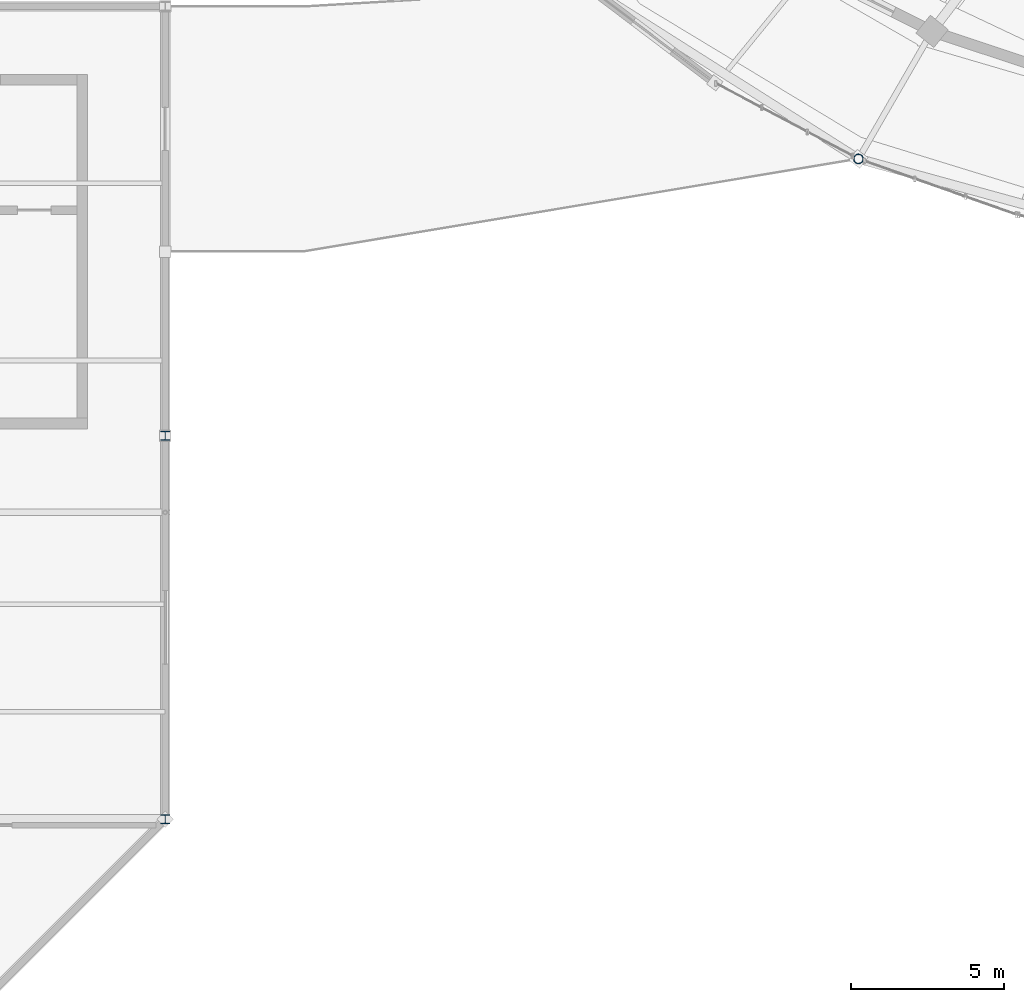
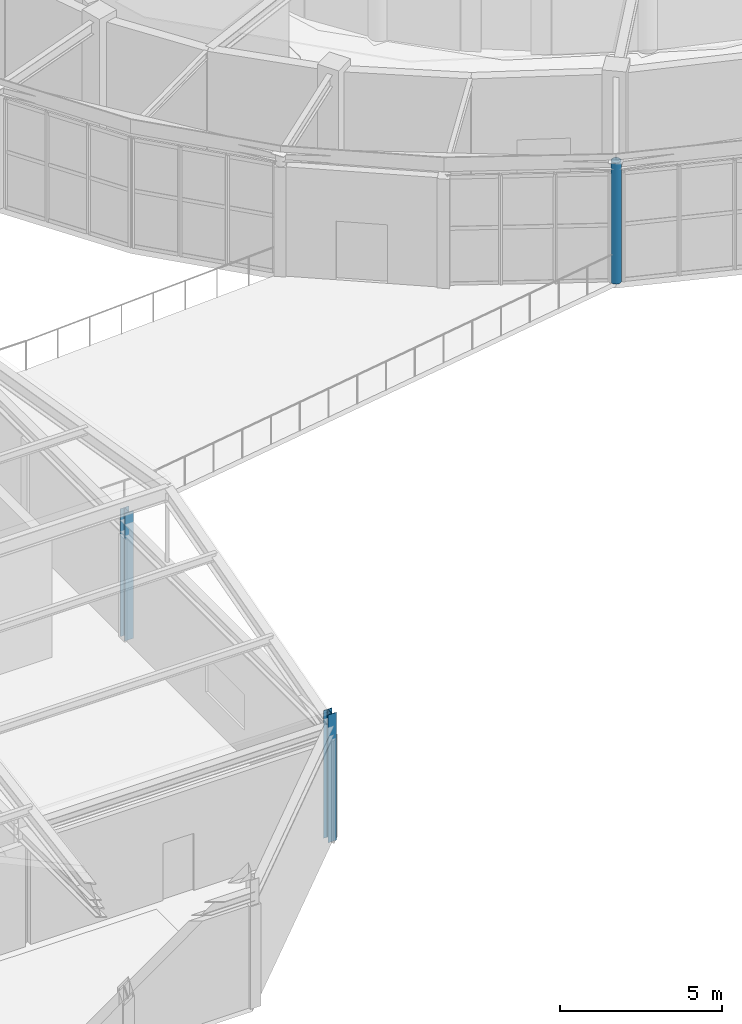
# One storey, part 2 of 108: 3 columns.
"""IFC4 building model written with IfcOpenShell, lengths in metres."""

from ifc_helpers import new_model, si_unit, direction, frame, origin, origin_2d, place, context, subcontext, project, spatial, hollow_circle, i_section, extrude, material, material_profile, profile_set, type_object, element, save


model = new_model("IFC4")

# Units and contexts
model_context = context("Model", 3, precision=1e-05, world=origin(), true_north=direction((0.0, 1.0)))
body_context = subcontext(model_context, "Body", "Model", "MODEL_VIEW")
ifc_project = project(units=[si_unit("LENGTHUNIT", "METRE"), si_unit("AREAUNIT", "SQUARE_METRE"), si_unit("VOLUMEUNIT", "CUBIC_METRE"), si_unit("PLANEANGLEUNIT", "RADIAN"), si_unit("MASSUNIT", "GRAM", prefix="KILO")], contexts=[model_context])

# Site, building, storey
site_placement = place(None, origin())
site = spatial("IfcSite", under=ifc_project, at=site_placement, CompositionType="ELEMENT")
building_placement = place(site_placement, origin())
building = spatial("IfcBuilding", under=site, at=building_placement, Name="Tarnveldt Headland Concert Hall", CompositionType="ELEMENT")
storey_placement = place(building_placement, frame((0.0, 0.0, 9.60009765625)))
storey = spatial("IfcBuildingStorey", under=building, at=storey_placement, Name="L02", CompositionType="ELEMENT", Elevation=9.60009765625)

# Columns
ifc_material = material(Name="Steel S355", Category="steel")
ifc_material_profile_1 = material_profile(ifc_material, hollow_circle(Radius=0.161865234375, WallThickness=0.02001953125, at=origin_2d()), Name="CHS 323.9x20", Category="steel")
ifc_profile_set_1 = profile_set([ifc_material_profile_1], Name="Steel S355")
column_type_1 = type_object("IfcColumnType", Name="SC-CHS323", PredefinedType="COLUMN", material=ifc_profile_set_1)
column_placement = place(storey_placement, frame((67.10009765625, 33.022705078125, 0.0), z_axis=(0.0, 0.0, 1.0), x_axis=(-0.606959801962, -0.79473253287, 0.0)))
element("IfcColumn", 1, at=column_placement, inside=storey, type_object=column_type_1, Name="Column V1C13 L02", PredefinedType="COLUMN", context=body_context, shape_type="SweptSolid", body=[
    extrude(hollow_circle(Radius=0.161865234375, WallThickness=0.02001953125, at=origin_2d()), origin(), (0.0, 0.0, 1.0), 4.5498046875),
])
ifc_material_profile_2 = material_profile(ifc_material, i_section(OverallWidth=0.300048828125, OverallDepth=0.2900390625, WebThickness=0.008544921875, FlangeThickness=0.013916015625, FilletRadius=0.027099609375, at=origin_2d()), Name="HEA300", Category="steel")
ifc_profile_set_2 = profile_set([ifc_material_profile_2], Name="Steel S355")
column_type_2 = type_object("IfcColumnType", Name="SC-HEA300", PredefinedType="COLUMN", material=ifc_profile_set_2)
for number, where, z_axis, x_axis, name in (
    (2, (44.5, 11.5, 0.0), (0.0, 0.0, 1.0), (1.0, 0.0, 0.0), "Column V4C06 L02"),
    (3, (44.5, 24.0, 0.0), (0.0, 0.0, 1.0), (1.0, 0.0, 0.0), "Column V4C07 L02"),
):
    element("IfcColumn", number, at=place(storey_placement, frame(where, z_axis=z_axis, x_axis=x_axis)), inside=storey, type_object=column_type_2, Name=name, PredefinedType="COLUMN", context=body_context, shape_type="SweptSolid", body=[
        extrude(i_section(OverallWidth=0.300048828125, OverallDepth=0.2900390625, WebThickness=0.008544921875, FlangeThickness=0.013916015625, FilletRadius=0.027099609375, at=origin_2d()), origin(), (0.0, 0.0, 1.0), 4.7998046875),
    ])

save(model, "model.ifc")
